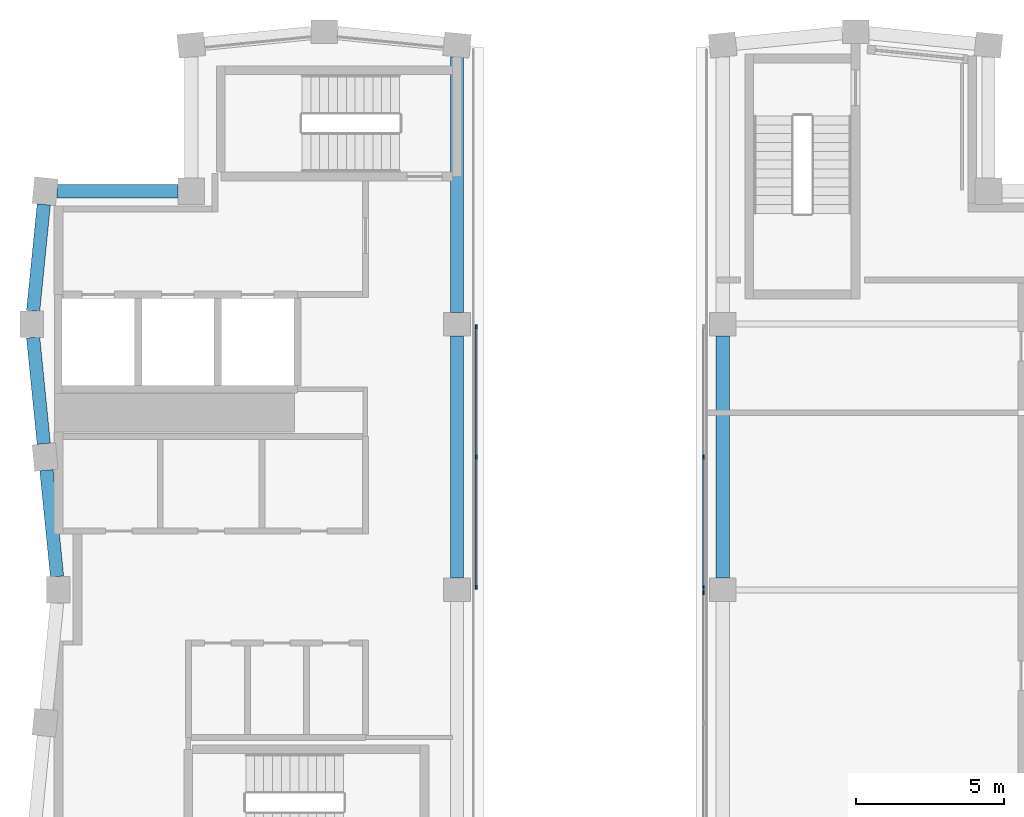
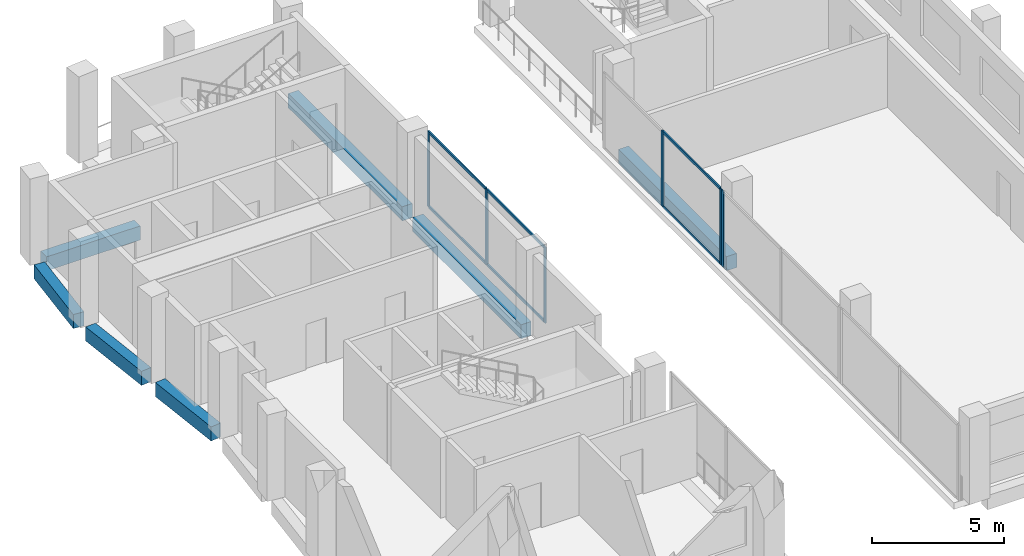
# One storey, part 4 of 9: 12 members, 7 beams, 3 elements without a shape of their own.
"""IFC4 building model written with IfcOpenShell, lengths in metres."""

import ifcopenshell
import ifcopenshell.guid

model = None  # the IFC model being written
_history = None  # IfcOwnerHistory: only IFC2X3 demands one
_inside = {}  # id of a spatial element -> (the spatial element, [elements in it])
_under = {}  # id of a project, library or spatial element -> (it, [spatial elements below it])
_declared = {}  # id of a project -> (the project, [libraries it declares])
_typed = {}  # id of a type object -> (the type object, [elements of that type])
_made_of = {}  # id of a material, layer set ... -> (it, [elements and type objects made of it])


def new_model(schema):
    """Start an empty IFC model of exactly this schema.

    Asked for "IFC4X3", IfcOpenShell would pick the latest addendum, in which some entities
    have other attributes; the version numbers below select the first issue.
    IFC2X3 requires an IfcOwnerHistory on every rooted entity: one is made here for all.
    """
    global model, _history
    if schema == "IFC4X3":
        model = ifcopenshell.file(schema_version=(4, 3, 0, 0))
    else:
        model = ifcopenshell.file(schema=schema)
    _inside.clear()
    _under.clear()
    _declared.clear()
    _typed.clear()
    _made_of.clear()
    _history = None
    if model.schema == "IFC2X3":
        org = make("IfcOrganization", Name="unknown")
        user = make(
            "IfcPersonAndOrganization",
            ThePerson=make("IfcPerson", FamilyName="unknown"),
            TheOrganization=org,
        )
        app = make(
            "IfcApplication",
            ApplicationDeveloper=org,
            Version="unknown",
            ApplicationFullName="unknown",
            ApplicationIdentifier="unknown",
        )
        _history = make(
            "IfcOwnerHistory",
            OwningUser=user,
            OwningApplication=app,
            ChangeAction="ADDED",
            CreationDate=0,
        )
    return model


def make(cls, **values):
    """One entity of the class cls with the attributes given. An attribute that is None is left unset."""
    return model.create_entity(
        cls, **{name: value for name, value in values.items() if value is not None}
    )


def rooted(cls, **values):
    """An entity with a GlobalId (a new one), such as an element, a storey or a relation."""
    return make(cls, GlobalId=ifcopenshell.guid.new(), OwnerHistory=_history, **values)


def si_unit(unit_type, name, prefix=None):
    """IfcSIUnit, for example si_unit("LENGTHUNIT", "METRE", prefix="MILLI")."""
    return make("IfcSIUnit", UnitType=unit_type, Prefix=prefix, Name=name)


def assignment(units):
    """IfcUnitAssignment: the units of a project."""
    return None if units is None else make("IfcUnitAssignment", Units=units)


def point(xyz):
    """IfcCartesianPoint."""
    return None if xyz is None else make("IfcCartesianPoint", Coordinates=xyz)


def direction(xyz):
    """IfcDirection."""
    return None if xyz is None else make("IfcDirection", DirectionRatios=xyz)


def frame(location, z_axis=None, x_axis=None):
    """IfcAxis2Placement3D, a coordinate frame: its origin and axes. An axis left out is left unset."""
    return make(
        "IfcAxis2Placement3D",
        Location=point(location),
        Axis=direction(z_axis),
        RefDirection=direction(x_axis),
    )


def frame_2d(location, x_axis=None):
    """IfcAxis2Placement2D, a coordinate frame in the plane: its origin and x axis."""
    return make(
        "IfcAxis2Placement2D", Location=point(location), RefDirection=direction(x_axis)
    )


def origin():
    """The frame at (0, 0, 0) with its axes left unset."""
    return frame((0.0, 0.0, 0.0))


def origin_2d():
    """The frame at (0, 0) in the plane with its x axis left unset."""
    return frame_2d((0.0, 0.0))


def place(relative_to, where):
    """IfcLocalPlacement: puts the frame where relative to a parent placement (None: the world)."""
    return make(
        "IfcLocalPlacement", PlacementRelTo=relative_to, RelativePlacement=where
    )


def context(
    kind, dimensions, precision=None, world=None, true_north=None, identifier=None
):
    """IfcGeometricRepresentationContext, for example the 3D "Model" context."""
    return make(
        "IfcGeometricRepresentationContext",
        ContextIdentifier=identifier,
        ContextType=kind,
        CoordinateSpaceDimension=dimensions,
        Precision=precision,
        WorldCoordinateSystem=world,
        TrueNorth=true_north,
    )


def subcontext(parent, identifier, kind, view, scale=None):
    """IfcGeometricRepresentationSubContext, for example "Body" below "Model"."""
    return make(
        "IfcGeometricRepresentationSubContext",
        ContextIdentifier=identifier,
        ContextType=kind,
        ParentContext=parent,
        TargetScale=scale,
        TargetView=view,
    )


def project(units=None, contexts=None):
    """IfcProject with its units and contexts."""
    return rooted(
        "IfcProject",
        Name="project",
        RepresentationContexts=contexts,
        UnitsInContext=assignment(units),
    )


def spatial(cls, under=None, at=None, **own):
    """A site, building, storey or space (cls), placed at a placement, below another one or the project."""
    s = rooted(cls, ObjectPlacement=at, **own)
    if under is not None:
        _under.setdefault(under.id(), (under, []))[1].append(s)
    return s


def profile(cls, at=None, kind="AREA", **sizes):
    """A parametric profile (cls). Its sizes go by their IFC names, for example OverallWidth=200.0."""
    return make(cls, ProfileType=kind, Position=at, **sizes)


def rectangle(**sizes):
    """IfcRectangleProfileDef."""
    return profile("IfcRectangleProfileDef", **sizes)


def extrude(swept, where, along, depth):
    """IfcExtrudedAreaSolid: the profile swept, set in the frame where, extruded along a direction by depth."""
    return make(
        "IfcExtrudedAreaSolid",
        SweptArea=swept,
        Position=where,
        ExtrudedDirection=direction(along),
        Depth=depth,
    )


def shape(context_of_items, identifier, shape_type, items):
    """IfcShapeRepresentation: the items that make up one representation, for example the "Body"."""
    return make(
        "IfcShapeRepresentation",
        ContextOfItems=context_of_items,
        RepresentationIdentifier=identifier,
        RepresentationType=shape_type,
        Items=items,
    )


def material(Name=None, Category=None):
    """IfcMaterial."""
    return make("IfcMaterial", Name=Name, Category=Category)


def material_profile(
    of_material, cross_section, Name=None, Category=None, Priority=None
):
    """IfcMaterialProfile: a cross section and its material."""
    return make(
        "IfcMaterialProfile",
        Name=Name,
        Material=of_material,
        Profile=cross_section,
        Priority=Priority,
        Category=Category,
    )


def profile_set(profiles, Name=None, composite=None):
    """IfcMaterialProfileSet."""
    return make(
        "IfcMaterialProfileSet",
        Name=Name,
        MaterialProfiles=profiles,
        CompositeProfile=composite,
    )


def made_of(thing, what):
    """Note that an element or type object is made of a material, layer set ...; save() writes the relation."""
    if what is not None:
        _made_of.setdefault(what.id(), (what, []))[1].append(thing)
    return thing


def type_object(cls, material=None, **own):
    """A type object (cls), such as IfcWallType, which elements share."""
    return made_of(rooted(cls, **own), material)


def element(
    cls,
    number,
    at=None,
    inside=None,
    cuts=None,
    type_object=None,
    material=None,
    context=None,
    identifier="Body",
    shape_type=None,
    held_by="IfcProductDefinitionShape",
    body=None,
    shapes=None,
    **own,
):
    """One element of the class cls, such as IfcWall. Its Tag is "e" and its number.

    at: its placement. inside: the storey or other place that contains it. cuts: it is an
    opening in that element (IfcRelVoidsElement). A single representation is given by context,
    identifier, shape_type and body (its items); several are given by shapes. held_by: the class
    of the entity that holds the representations. save() writes the other relations.
    """
    e = rooted(cls, Tag="e%d" % number, ObjectPlacement=at, **own)
    if body is not None:
        shapes = [shape(context, identifier, shape_type, body)]
    if shapes is not None:
        e.Representation = make(held_by, Representations=shapes)
    if inside is not None:
        _inside.setdefault(inside.id(), (inside, []))[1].append(e)
    if cuts is not None:
        rooted(
            "IfcRelVoidsElement", RelatingBuildingElement=cuts, RelatedOpeningElement=e
        )
    if type_object is not None:
        _typed.setdefault(type_object.id(), (type_object, []))[1].append(e)
    return made_of(e, material)


def aggregate(whole, parts):
    """IfcRelAggregates: a whole, such as a stair, and the parts it consists of."""
    return rooted("IfcRelAggregates", RelatingObject=whole, RelatedObjects=parts)


def save(model, path):
    """Write the relations noted so far, then the file.

    IfcRelAggregates (storeys below a building ...), IfcRelContainedInSpatialStructure (elements
    in a storey), IfcRelDefinesByType, IfcRelAssociatesMaterial and IfcRelDeclares: one each for
    every whole, place, type object, material and project.
    """
    for whole, parts in _under.values():
        aggregate(whole, parts)
    for where, things in _inside.values():
        rooted(
            "IfcRelContainedInSpatialStructure",
            RelatedElements=things,
            RelatingStructure=where,
        )
    for kind, things in _typed.values():
        rooted("IfcRelDefinesByType", RelatedObjects=things, RelatingType=kind)
    for what, things in _made_of.values():
        rooted("IfcRelAssociatesMaterial", RelatedObjects=things, RelatingMaterial=what)
    for by, libraries in _declared.values():
        rooted("IfcRelDeclares", RelatingContext=by, RelatedDefinitions=libraries)
    model.write(path)


model = new_model("IFC4")

# Units and contexts
model_context = context("Model", 3, precision=1e-05, world=origin(), true_north=direction((0.0, 1.0)))
body_context = subcontext(model_context, "Body", "Model", "MODEL_VIEW")
ifc_project = project(units=[si_unit("LENGTHUNIT", "METRE"), si_unit("AREAUNIT", "SQUARE_METRE"), si_unit("VOLUMEUNIT", "CUBIC_METRE"), si_unit("PLANEANGLEUNIT", "RADIAN"), si_unit("MASSUNIT", "GRAM", prefix="KILO")], contexts=[model_context])

# Site, building, storey
site_placement = place(None, origin())
site = spatial("IfcSite", under=ifc_project, at=site_placement, CompositionType="ELEMENT")
building_placement = place(site_placement, origin())
building = spatial("IfcBuilding", under=site, at=building_placement, Name="Brondeck Convention Tower", CompositionType="ELEMENT")
storey_placement = place(building_placement, frame((0.0, 0.0, 290.800048828125)))
storey = spatial("IfcBuildingStorey", under=building, at=storey_placement, Name="L72", CompositionType="ELEMENT", Elevation=290.800048828125)

# Curtain wall, members
ifc_material_1 = material(Name="Aluminium, bronze anodised", Category="aluminium")
curtain_wall_type = type_object("IfcCurtainWallType", Name="Crown screen curtain wall", PredefinedType="NOTDEFINED", material=ifc_material_1)
curtain_wall_1_placement = place(storey_placement, origin())
curtain_wall_1 = element("IfcCurtainWall", 1, at=curtain_wall_1_placement, inside=storey, type_object=curtain_wall_type, Name="ENV-CW4-L72-K1-SLOT-W-05", PredefinedType="NOTDEFINED")
ifc_material_profile_1 = material_profile(ifc_material_1, rectangle(XDim=0.06005859375, YDim=0.139892578125, at=origin_2d()), Name="CW4 mullion")
ifc_profile_set_1 = profile_set([ifc_material_profile_1], Name="Aluminium, bronze anodised")
member_type_1 = type_object("IfcMemberType", Name="CW4 mullion", PredefinedType="MULLION", material=ifc_profile_set_1)
member_1_placement = place(storey_placement, frame((14.14990234375, 53.909912109375, 0.0), z_axis=(0.0, 0.0, 1.0), x_axis=(1.0, 0.0, 0.0)))
member_1 = element("IfcMember", 2, at=member_1_placement, type_object=member_type_1, Name="CW4 mullion 1", PredefinedType="MULLION", context=body_context, shape_type="SweptSolid", body=[
    extrude(rectangle(XDim=0.06005859375, YDim=0.139892578125, at=origin_2d()), origin(), (0.0, 0.0, 1.0), 3.5),
])
member_2_placement = place(storey_placement, frame((14.14990234375, 49.5, 0.0), z_axis=(0.0, 0.0, 1.0), x_axis=(1.0, 0.0, 0.0)))
member_2 = element("IfcMember", 3, at=member_2_placement, type_object=member_type_1, Name="CW4 mullion 2", PredefinedType="MULLION", context=body_context, shape_type="SweptSolid", body=[
    extrude(rectangle(XDim=0.06005859375, YDim=0.139892578125, at=origin_2d()), origin(), (0.0, 0.0, 1.0), 3.5),
])
member_3_placement = place(storey_placement, frame((14.14990234375, 45.090087890625, 0.0), z_axis=(0.0, 0.0, 1.0), x_axis=(1.0, 0.0, 0.0)))
member_3 = element("IfcMember", 4, at=member_3_placement, type_object=member_type_1, Name="CW4 mullion 3", PredefinedType="MULLION", context=body_context, shape_type="SweptSolid", body=[
    extrude(rectangle(XDim=0.06005859375, YDim=0.139892578125, at=origin_2d()), origin(), (0.0, 0.0, 1.0), 3.5),
])

curtain_wall_2_placement = place(storey_placement, origin())
curtain_wall_2 = element("IfcCurtainWall", 5, at=curtain_wall_2_placement, inside=storey, type_object=curtain_wall_type, Name="ENV-CW4-L72-K2-SLOT-E-03", PredefinedType="NOTDEFINED")
member_4_placement = place(storey_placement, frame((21.85009765625, 45.090087890625, 0.0), z_axis=(0.0, 0.0, 1.0), x_axis=(-1.0, 0.0, 0.0)))
member_4 = element("IfcMember", 6, at=member_4_placement, type_object=member_type_1, Name="CW4 mullion 1", PredefinedType="MULLION", context=body_context, shape_type="SweptSolid", body=[
    extrude(rectangle(XDim=0.06005859375, YDim=0.139892578125, at=origin_2d()), origin(), (0.0, 0.0, 1.0), 3.5),
])
member_5_placement = place(storey_placement, frame((21.85009765625, 49.5, 0.0), z_axis=(0.0, 0.0, 1.0), x_axis=(-1.0, 0.0, 0.0)))
member_5 = element("IfcMember", 7, at=member_5_placement, type_object=member_type_1, Name="CW4 mullion 2", PredefinedType="MULLION", context=body_context, shape_type="SweptSolid", body=[
    extrude(rectangle(XDim=0.06005859375, YDim=0.139892578125, at=origin_2d()), origin(), (0.0, 0.0, 1.0), 3.5),
])

# Curtain wall, member
curtain_wall_3_placement = place(storey_placement, origin())
curtain_wall_3 = element("IfcCurtainWall", 8, at=curtain_wall_3_placement, inside=storey, type_object=curtain_wall_type, Name="ENV-CW4-L72-K2-SLOT-E-05", PredefinedType="NOTDEFINED")
member_6_placement = place(storey_placement, frame((21.85009765625, 44.909912109375, 0.0), z_axis=(0.0, 0.0, 1.0), x_axis=(-1.0, 0.0, 0.0)))
member_6 = element("IfcMember", 9, at=member_6_placement, type_object=member_type_1, Name="CW4 mullion 3", PredefinedType="MULLION", context=body_context, shape_type="SweptSolid", body=[
    extrude(rectangle(XDim=0.06005859375, YDim=0.139892578125, at=origin_2d()), origin(), (0.0, 0.0, 1.0), 3.5),
])
aggregate(curtain_wall_3, [member_6])

# Member
ifc_material_profile_2 = material_profile(ifc_material_1, rectangle(XDim=0.06005859375, YDim=0.1201171875, at=origin_2d()), Name="CW4 transom")
ifc_profile_set_2 = profile_set([ifc_material_profile_2], Name="Aluminium, bronze anodised")
member_type_2 = type_object("IfcMemberType", Name="CW4 transom", PredefinedType="USERDEFINED", material=ifc_profile_set_2)
member_7_placement = place(storey_placement, frame((14.14990234375, 53.8798828125, 0.030029296875), z_axis=(0.0, -1.0, 0.0), x_axis=(1.0, 0.0, 0.0)))
member_7 = element("IfcMember", 10, at=member_7_placement, type_object=member_type_2, Name="CW4 transom 1.1", ObjectType="TRANSOM", PredefinedType="USERDEFINED", context=body_context, shape_type="SweptSolid", body=[
    extrude(rectangle(XDim=0.06005859375, YDim=0.1201171875, at=origin_2d()), origin(), (0.0, 0.0, 1.0), 4.349853515625),
])

member_8_placement = place(storey_placement, frame((14.14990234375, 53.8798828125, 3.469970703125), z_axis=(0.0, -1.0, 0.0), x_axis=(1.0, 0.0, 0.0)))
member_8 = element("IfcMember", 11, at=member_8_placement, type_object=member_type_2, Name="CW4 transom 1.2", ObjectType="TRANSOM", PredefinedType="USERDEFINED", context=body_context, shape_type="SweptSolid", body=[
    extrude(rectangle(XDim=0.06005859375, YDim=0.1201171875, at=origin_2d()), origin(), (0.0, 0.0, 1.0), 4.349853515625),
])

member_9_placement = place(storey_placement, frame((14.14990234375, 49.469970703125, 0.030029296875), z_axis=(0.0, -1.0, 0.0), x_axis=(1.0, 0.0, 0.0)))
member_9 = element("IfcMember", 12, at=member_9_placement, type_object=member_type_2, Name="CW4 transom 2.1", ObjectType="TRANSOM", PredefinedType="USERDEFINED", context=body_context, shape_type="SweptSolid", body=[
    extrude(rectangle(XDim=0.06005859375, YDim=0.1201171875, at=origin_2d()), origin(), (0.0, 0.0, 1.0), 4.349853515625),
])

member_10_placement = place(storey_placement, frame((14.14990234375, 49.469970703125, 3.469970703125), z_axis=(0.0, -1.0, 0.0), x_axis=(1.0, 0.0, 0.0)))
member_10 = element("IfcMember", 13, at=member_10_placement, type_object=member_type_2, Name="CW4 transom 2.2", ObjectType="TRANSOM", PredefinedType="USERDEFINED", context=body_context, shape_type="SweptSolid", body=[
    extrude(rectangle(XDim=0.06005859375, YDim=0.1201171875, at=origin_2d()), origin(), (0.0, 0.0, 1.0), 4.349853515625),
])

aggregate(curtain_wall_1, [member_1, member_2, member_3, member_7, member_8, member_9, member_10])

member_11_placement = place(storey_placement, frame((21.85009765625, 45.1201171875, 0.030029296875), z_axis=(0.0, 1.0, 0.0), x_axis=(-1.0, 0.0, 0.0)))
member_11 = element("IfcMember", 14, at=member_11_placement, type_object=member_type_2, Name="CW4 transom 1.1", ObjectType="TRANSOM", PredefinedType="USERDEFINED", context=body_context, shape_type="SweptSolid", body=[
    extrude(rectangle(XDim=0.06005859375, YDim=0.1201171875, at=origin_2d()), origin(), (0.0, 0.0, 1.0), 4.349853515625),
])

member_12_placement = place(storey_placement, frame((21.85009765625, 45.1201171875, 3.469970703125), z_axis=(0.0, 1.0, 0.0), x_axis=(-1.0, 0.0, 0.0)))
member_12 = element("IfcMember", 15, at=member_12_placement, type_object=member_type_2, Name="CW4 transom 1.2", ObjectType="TRANSOM", PredefinedType="USERDEFINED", context=body_context, shape_type="SweptSolid", body=[
    extrude(rectangle(XDim=0.06005859375, YDim=0.1201171875, at=origin_2d()), origin(), (0.0, 0.0, 1.0), 4.349853515625),
])

aggregate(curtain_wall_2, [member_4, member_5, member_11, member_12])

# Beams
ifc_material_2 = material(Name="Concrete C50/60", Category="concrete")
ifc_material_profile_3 = material_profile(ifc_material_2, rectangle(XDim=0.449951171875, YDim=0.64990234375, at=origin_2d()), Name="Precast spandrel 450x650 Concrete C50/60")
ifc_profile_set_3 = profile_set([ifc_material_profile_3], Name="Concrete C50/60")
beam_type = type_object("IfcBeamType", Name="Precast spandrel 450x650 Concrete C50/60", PredefinedType="SPANDREL", material=ifc_profile_set_3)
beam_1_placement = place(storey_placement, frame((13.5, 45.39990234375, -0.324951171875), z_axis=(0.0, 1.0, 0.0), x_axis=(-1.0, 0.0, 0.0)))
element("IfcBeam", 16, at=beam_1_placement, inside=storey, type_object=beam_type, Name="STR-SP-L72K1-004", PredefinedType="SPANDREL", context=body_context, shape_type="SweptSolid", body=[
    extrude(rectangle(XDim=0.449951171875, YDim=0.64990234375, at=origin_2d()), origin(), (0.0, 0.0, 1.0), 8.2001953125),
])
beam_2_placement = place(storey_placement, frame((13.5, 54.39990234375, -0.324951171875), z_axis=(0.0, 1.0, 0.0), x_axis=(-1.0, 0.0, 0.0)))
element("IfcBeam", 17, at=beam_2_placement, inside=storey, type_object=beam_type, Name="STR-SP-L72K1-005", PredefinedType="SPANDREL", context=body_context, shape_type="SweptSolid", body=[
    extrude(rectangle(XDim=0.449951171875, YDim=0.64990234375, at=origin_2d()), origin(), (0.0, 0.0, 1.0), 8.648193359375),
])
beam_3_placement = place(storey_placement, frame((4.050048828125, 58.5, -0.324951171875), z_axis=(-1.0, 0.0, 0.0), x_axis=(0.0, -1.0, 0.0)))
element("IfcBeam", 18, at=beam_3_placement, inside=storey, type_object=beam_type, Name="STR-SP-L72K1-009", PredefinedType="SPANDREL", context=body_context, shape_type="SweptSolid", body=[
    extrude(rectangle(XDim=0.449951171875, YDim=0.64990234375, at=origin_2d()), origin(), (0.0, 0.0, 1.0), 4.09814453125),
])
for number, where, z_axis, x_axis, name in (
    (19, (-0.494873046875, 58.05224609375, -0.324951171875), (-0.099470334057, -0.995040528141, 0.0), (0.995040528141, -0.099470334057, 0.0), "STR-SP-L72K1-010"),
    (20, (-0.85498046875, 53.550048828125, -0.324951171875), (0.099470334057, -0.995040528141, 0.0), (0.995040528141, 0.099470334057, 0.0), "STR-SP-L72K1-011"),
    (21, (-0.4052734375, 49.05224609375, -0.324951171875), (0.099537103649, -0.995033851182, 0.0), (0.995033851182, 0.099537103649, 0.0), "STR-SP-L72K1-012"),
):
    element("IfcBeam", number, at=place(storey_placement, frame(where, z_axis=z_axis, x_axis=x_axis)), inside=storey, type_object=beam_type, Name=name, PredefinedType="SPANDREL", context=body_context, shape_type="SweptSolid", body=[
        extrude(rectangle(XDim=0.449951171875, YDim=0.64990234375, at=origin_2d()), origin(), (0.0, 0.0, 1.0), 3.620361328125),
    ])
beam_4_placement = place(storey_placement, frame((22.5, 53.60009765625, -0.324951171875), z_axis=(0.0, -1.0, 0.0), x_axis=(1.0, 0.0, 0.0)))
element("IfcBeam", 22, at=beam_4_placement, inside=storey, type_object=beam_type, Name="STR-SP-L72K2-015", PredefinedType="SPANDREL", context=body_context, shape_type="SweptSolid", body=[
    extrude(rectangle(XDim=0.449951171875, YDim=0.64990234375, at=origin_2d()), origin(), (0.0, 0.0, 1.0), 8.2001953125),
])

save(model, "model.ifc")
